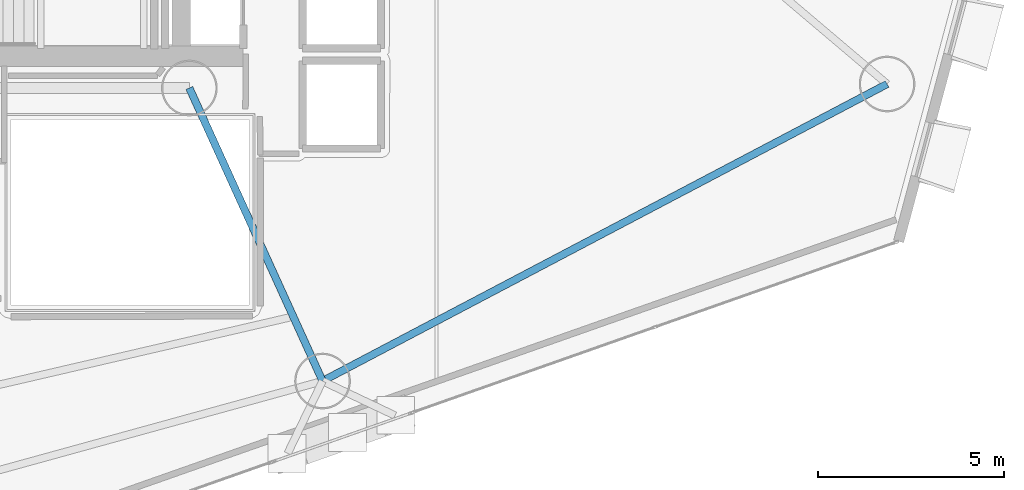
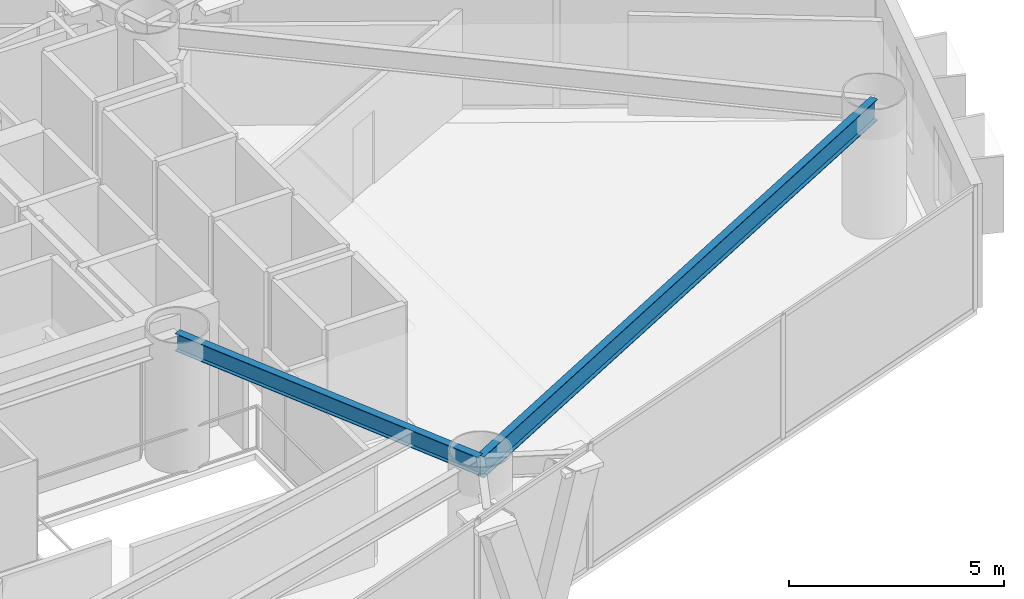
# One storey, part 5 of 19: 2 beams.
"""IFC4 building model written with IfcOpenShell, lengths in metres."""

from ifc_helpers import new_model, si_unit, direction, frame, origin, origin_2d, place, context, subcontext, project, spatial, i_section, extrude, material, material_profile, profile_set, type_object, element, save


model = new_model("IFC4")

# Units and contexts
model_context = context("Model", 3, precision=1e-05, world=origin(), true_north=direction((0.0, 1.0)))
body_context = subcontext(model_context, "Body", "Model", "MODEL_VIEW")
ifc_project = project(units=[si_unit("LENGTHUNIT", "METRE"), si_unit("AREAUNIT", "SQUARE_METRE"), si_unit("VOLUMEUNIT", "CUBIC_METRE"), si_unit("PLANEANGLEUNIT", "RADIAN"), si_unit("MASSUNIT", "GRAM", prefix="KILO")], contexts=[model_context])

# Site, building, storey
site_placement = place(None, origin())
site = spatial("IfcSite", under=ifc_project, at=site_placement, CompositionType="ELEMENT")
building_placement = place(site_placement, origin())
building = spatial("IfcBuilding", under=site, at=building_placement, Name="Qianvela Tower", CompositionType="ELEMENT")
storey_placement = place(building_placement, frame((0.0, 0.0, 123.699951171875)))
storey = spatial("IfcBuildingStorey", under=building, at=storey_placement, Name="L31", CompositionType="ELEMENT", Elevation=123.699951171875)

# Beams
ifc_material_1 = material(Name="Steel Q355B", Category="steel")
ifc_material_profile_1 = material_profile(ifc_material_1, i_section(OverallWidth=0.199951171875, OverallDepth=0.5, WebThickness=0.010009765625, FlangeThickness=0.01611328125, at=origin_2d()), Name="HN500x200x10x16")
ifc_profile_set_1 = profile_set([ifc_material_profile_1], Name="Steel Q355B")
beam_type_1 = type_object("IfcBeamType", Name="BM-HN500-GIRD", PredefinedType="BEAM", material=ifc_profile_set_1)
beam_1_placement = place(storey_placement, frame((38.39990234375, 23.85009765625, 3.26806640625), z_axis=(0.413839009437, -0.910350083357, 0.0), x_axis=(0.910350083357, 0.413839009437, 0.0)))
element("IfcBeam", 1, at=beam_1_placement, inside=storey, type_object=beam_type_1, Name="L31 Radial Primary Floor Girder 6", PredefinedType="BEAM", context=body_context, shape_type="SweptSolid", body=[
    extrude(i_section(OverallWidth=0.199951171875, OverallDepth=0.5, WebThickness=0.010009765625, FlangeThickness=0.01611328125, at=origin_2d()), origin(), (0.0, 0.0, 1.0), 8.67041015625),
])
ifc_material_2 = material(Name="Steel Q355B", Category="steel")
ifc_material_profile_2 = material_profile(ifc_material_2, i_section(OverallWidth=0.199951171875, OverallDepth=0.60009765625, WebThickness=0.010986328125, FlangeThickness=0.01708984375, at=origin_2d()), Name="HN600x200x11x17")
ifc_profile_set_2 = profile_set([ifc_material_profile_2], Name="Steel Q355B")
beam_type_2 = type_object("IfcBeamType", Name="BM-HN600-GIRD", PredefinedType="BEAM", material=ifc_profile_set_2)
beam_2_placement = place(storey_placement, frame((41.988037109375, 15.95703125, 3.218017578125), z_axis=(0.884971229381, 0.465645705627, 0.0), x_axis=(-0.465645705627, 0.884971229381, 0.0)))
element("IfcBeam", 2, at=beam_2_placement, inside=storey, type_object=beam_type_2, Name="L31 Perimeter Ring Spandrel Girder 6", PredefinedType="BEAM", context=body_context, shape_type="SweptSolid", body=[
    extrude(i_section(OverallWidth=0.199951171875, OverallDepth=0.60009765625, WebThickness=0.010986328125, FlangeThickness=0.01708984375, at=origin_2d()), origin(), (0.0, 0.0, 1.0), 17.1826171875),
])

save(model, "model.ifc")
